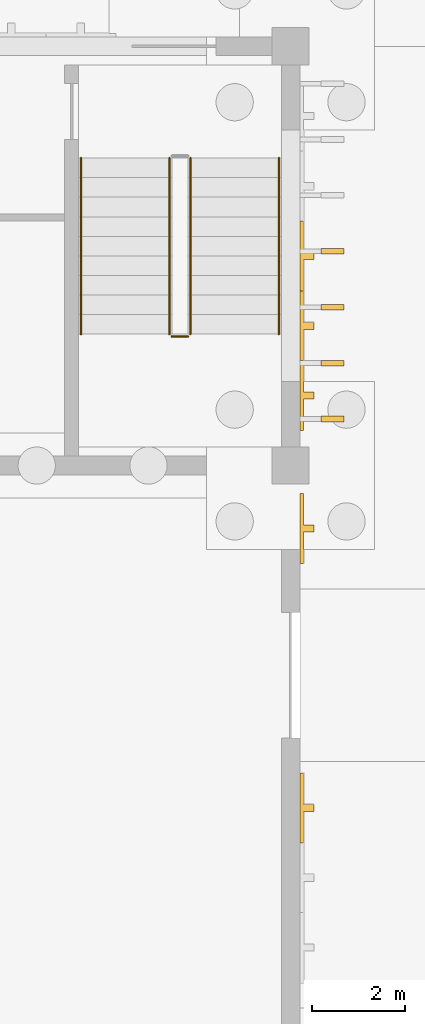
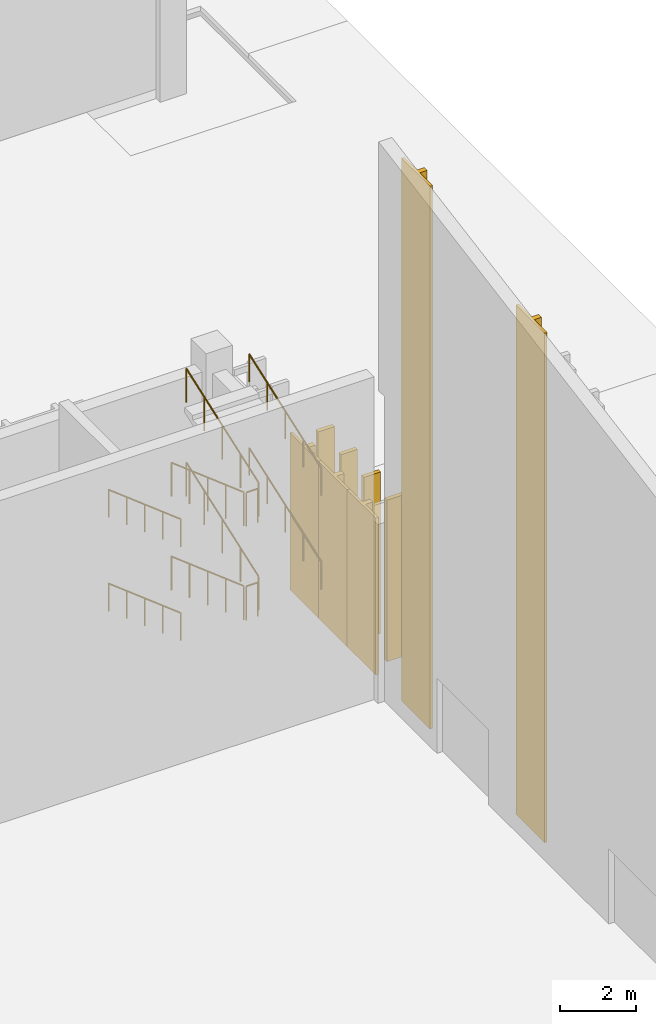
# One storey, part 181 of 198: 10 railings, 9 coverings.
"""IFC4 building model written with IfcOpenShell, lengths in metres."""

from ifc_helpers import new_model, si_unit, direction, frame, origin, origin_2d, place, context, subcontext, project, spatial, polyline, rectangle, circle, outline, extrude, material, layer, layer_set, constituent, constituent_set, type_object, element, save


model = new_model("IFC4")

# Units and contexts
model_context = context("Model", 3, precision=1e-05, world=origin(), true_north=direction((0.0, 1.0)))
body_context = subcontext(model_context, "Body", "Model", "MODEL_VIEW")
ifc_project = project(units=[si_unit("LENGTHUNIT", "METRE"), si_unit("AREAUNIT", "SQUARE_METRE"), si_unit("VOLUMEUNIT", "CUBIC_METRE"), si_unit("PLANEANGLEUNIT", "RADIAN"), si_unit("MASSUNIT", "GRAM", prefix="KILO")], contexts=[model_context])

# Site, building, storey
site_placement = place(None, origin())
site = spatial("IfcSite", under=ifc_project, at=site_placement, CompositionType="ELEMENT")
building_placement = place(site_placement, origin())
building = spatial("IfcBuilding", under=site, at=building_placement, Name="Opaline Strait Convention Centre", CompositionType="ELEMENT")
storey_placement = place(building_placement, origin())
storey = spatial("IfcBuildingStorey", under=building, at=storey_placement, Name="L00", CompositionType="ELEMENT", Elevation=0.0)

# Railings
ifc_material_1 = material(Name="Steel Q235B", Category="steel")
ifc_constituent_1 = constituent(ifc_material_1, Name="Frame")
ifc_material_2 = material(Name="Safety glass, bonded interlayer", Category="glass")
ifc_constituent_2 = constituent(ifc_material_2, Name="Infill")
ifc_constituent_set = constituent_set(constituents=[ifc_constituent_1, ifc_constituent_2], Name="Steel Q235B, Safety glass, bonded interlayer")
railing_type_1 = type_object("IfcRailingType", Name="Guard 1100 steel and glass", PredefinedType="GUARDRAIL", material=ifc_constituent_set)
railing_1_placement = place(storey_placement, frame((348.39990234375, 69.60009765625, 0.14990234375)))
element("IfcRailing", 1, at=railing_1_placement, inside=storey, type_object=railing_type_1, Name="L00 B-STNE stair guard 1", PredefinedType="GUARDRAIL", context=body_context, shape_type="SweptSolid", body=[
    extrude(circle(Radius=0.02392578125, at=origin_2d()), frame((0.0, 0.0, 1.076171875), z_axis=(0.0, -0.941735030876, 0.336355662388), x_axis=(1.0, 0.0, 0.0)), (0.0, 0.0, 1.0), 4.013916015625),
    extrude(circle(Radius=0.02099609375, at=origin_2d()), origin(), (0.0, 0.0, 1.0), 1.052001953125),
    extrude(circle(Radius=0.02099609375, at=origin_2d()), frame((0.0, -0.945068359375, 0.33740234375)), (0.0, 0.0, 1.0), 1.052001953125),
    extrude(circle(Radius=0.02099609375, at=origin_2d()), frame((0.0, -1.89013671875, 0.675048828125)), (0.0, 0.0, 1.0), 1.052001953125),
    extrude(circle(Radius=0.02099609375, at=origin_2d()), frame((0.0, -2.8349609375, 1.0126953125)), (0.0, 0.0, 1.0), 1.052001953125),
    extrude(circle(Radius=0.02099609375, at=origin_2d()), frame((0.0, -3.780029296875, 1.35009765625)), (0.0, 0.0, 1.0), 1.052001953125),
])
railing_2_placement = place(storey_placement, frame((348.449951171875, 65.77001953125, 1.5)))
element("IfcRailing", 2, at=railing_2_placement, inside=storey, type_object=railing_type_1, Name="L00 B-STNE stair guard 2", PredefinedType="GUARDRAIL", context=body_context, shape_type="SweptSolid", body=[
    extrude(circle(Radius=0.02392578125, at=origin_2d()), frame((0.0, 0.0, 1.076171875), z_axis=(1.0, 0.0, 0.0), x_axis=(0.0, 1.0, 0.0)), (0.0, 0.0, 1.0), 0.35009765625),
    extrude(circle(Radius=0.02099609375, at=origin_2d()), origin(), (0.0, 0.0, 1.0), 1.052001953125),
    extrude(circle(Radius=0.02099609375, at=origin_2d()), frame((0.35009765625, 0.0, 0.0)), (0.0, 0.0, 1.0), 1.052001953125),
])
railing_3_placement = place(storey_placement, frame((348.85009765625, 65.820068359375, 1.64990234375)))
element("IfcRailing", 3, at=railing_3_placement, inside=storey, type_object=railing_type_1, Name="L00 B-STNE stair guard 3", PredefinedType="GUARDRAIL", context=body_context, shape_type="SweptSolid", body=[
    extrude(circle(Radius=0.02392578125, at=origin_2d()), frame((0.0, 0.0, 1.076171875), z_axis=(0.0, 0.941735030876, 0.336355662388), x_axis=(-1.0, 0.0, 0.0)), (0.0, 0.0, 1.0), 4.013916015625),
    extrude(circle(Radius=0.02099609375, at=origin_2d()), origin(), (0.0, 0.0, 1.0), 1.052001953125),
    extrude(circle(Radius=0.02099609375, at=origin_2d()), frame((0.0, 0.945068359375, 0.33740234375)), (0.0, 0.0, 1.0), 1.052001953125),
    extrude(circle(Radius=0.02099609375, at=origin_2d()), frame((0.0, 1.89013671875, 0.675048828125)), (0.0, 0.0, 1.0), 1.052001953125),
    extrude(circle(Radius=0.02099609375, at=origin_2d()), frame((0.0, 2.8349609375, 1.0126953125)), (0.0, 0.0, 1.0), 1.052001953125),
    extrude(circle(Radius=0.02099609375, at=origin_2d()), frame((0.0, 3.780029296875, 1.35009765625)), (0.0, 0.0, 1.0), 1.052001953125),
])
railing_4_placement = place(storey_placement, frame((348.39990234375, 69.60009765625, 3.14990234375)))
element("IfcRailing", 4, at=railing_4_placement, inside=storey, type_object=railing_type_1, Name="L00 B-STNE stair guard 5", PredefinedType="GUARDRAIL", context=body_context, shape_type="SweptSolid", body=[
    extrude(circle(Radius=0.02392578125, at=origin_2d()), frame((0.0, 0.0, 1.076171875), z_axis=(0.0, -0.941735030876, 0.336355662388), x_axis=(1.0, 0.0, 0.0)), (0.0, 0.0, 1.0), 4.013916015625),
    extrude(circle(Radius=0.02099609375, at=origin_2d()), origin(), (0.0, 0.0, 1.0), 1.052001953125),
    extrude(circle(Radius=0.02099609375, at=origin_2d()), frame((0.0, -0.945068359375, 0.33740234375)), (0.0, 0.0, 1.0), 1.052001953125),
    extrude(circle(Radius=0.02099609375, at=origin_2d()), frame((0.0, -1.89013671875, 0.675048828125)), (0.0, 0.0, 1.0), 1.052001953125),
    extrude(circle(Radius=0.02099609375, at=origin_2d()), frame((0.0, -2.8349609375, 1.0126953125)), (0.0, 0.0, 1.0), 1.052001953125),
    extrude(circle(Radius=0.02099609375, at=origin_2d()), frame((0.0, -3.780029296875, 1.35009765625)), (0.0, 0.0, 1.0), 1.052001953125),
])
railing_5_placement = place(storey_placement, frame((348.449951171875, 65.77001953125, 4.5)))
element("IfcRailing", 5, at=railing_5_placement, inside=storey, type_object=railing_type_1, Name="L00 B-STNE stair guard 6", PredefinedType="GUARDRAIL", context=body_context, shape_type="SweptSolid", body=[
    extrude(circle(Radius=0.02392578125, at=origin_2d()), frame((0.0, 0.0, 1.076171875), z_axis=(1.0, 0.0, 0.0), x_axis=(0.0, 1.0, 0.0)), (0.0, 0.0, 1.0), 0.35009765625),
    extrude(circle(Radius=0.02099609375, at=origin_2d()), origin(), (0.0, 0.0, 1.0), 1.052001953125),
    extrude(circle(Radius=0.02099609375, at=origin_2d()), frame((0.35009765625, 0.0, 0.0)), (0.0, 0.0, 1.0), 1.052001953125),
])
railing_6_placement = place(storey_placement, frame((348.85009765625, 65.820068359375, 4.64990234375)))
element("IfcRailing", 6, at=railing_6_placement, inside=storey, type_object=railing_type_1, Name="L00 B-STNE stair guard 7", PredefinedType="GUARDRAIL", context=body_context, shape_type="SweptSolid", body=[
    extrude(circle(Radius=0.02392578125, at=origin_2d()), frame((0.0, 0.0, 1.076171875), z_axis=(0.0, 0.941735030876, 0.336355662388), x_axis=(-1.0, 0.0, 0.0)), (0.0, 0.0, 1.0), 4.013916015625),
    extrude(circle(Radius=0.02099609375, at=origin_2d()), origin(), (0.0, 0.0, 1.0), 1.052001953125),
    extrude(circle(Radius=0.02099609375, at=origin_2d()), frame((0.0, 0.945068359375, 0.33740234375)), (0.0, 0.0, 1.0), 1.052001953125),
    extrude(circle(Radius=0.02099609375, at=origin_2d()), frame((0.0, 1.89013671875, 0.675048828125)), (0.0, 0.0, 1.0), 1.052001953125),
    extrude(circle(Radius=0.02099609375, at=origin_2d()), frame((0.0, 2.8349609375, 1.0126953125)), (0.0, 0.0, 1.0), 1.052001953125),
    extrude(circle(Radius=0.02099609375, at=origin_2d()), frame((0.0, 3.780029296875, 1.35009765625)), (0.0, 0.0, 1.0), 1.052001953125),
])

# Coverings
ifc_material_3 = material(Name="Concrete C40 precast white", Category="concrete")
ifc_layer_1 = layer(ifc_material_3, 0.300048828125)
ifc_layer_set_1 = layer_set([ifc_layer_1], Name="Concrete C40 precast white")
covering_type_1 = type_object("IfcCoveringType", Name="Ribbed precast panel white 1500", PredefinedType="CLADDING", material=ifc_layer_set_1)
covering_1_placement = place(storey_placement, origin())
element("IfcCovering", 7, at=covering_1_placement, inside=storey, type_object=covering_type_1, Name="Ribbed panel L00-E27 19", PredefinedType="CLADDING", context=body_context, shape_type="SweptSolid", body=[
    extrude(outline(polyline([(351.199951171875, 54.89990234375), (351.199951171875, 56.39990234375), (351.280029296875, 56.39990234375), (351.280029296875, 55.72509765625), (351.5, 55.72509765625), (351.5, 55.574951171875), (351.280029296875, 55.574951171875), (351.280029296875, 54.89990234375), (351.199951171875, 54.89990234375)])), origin(), (0.0, 0.0, 1.0), 16.297119140625),
])
covering_2_placement = place(storey_placement, origin())
element("IfcCovering", 8, at=covering_2_placement, inside=storey, type_object=covering_type_1, Name="Ribbed panel L00-E27 23", PredefinedType="CLADDING", context=body_context, shape_type="SweptSolid", body=[
    extrude(outline(polyline([(351.199951171875, 60.89990234375), (351.199951171875, 62.39990234375), (351.280029296875, 62.39990234375), (351.280029296875, 61.72509765625), (351.5, 61.72509765625), (351.5, 61.574951171875), (351.280029296875, 61.574951171875), (351.280029296875, 60.89990234375), (351.199951171875, 60.89990234375)])), origin(), (0.0, 0.0, 1.0), 17.355224609375),
])
covering_3_placement = place(storey_placement, origin())
element("IfcCovering", 9, at=covering_3_placement, inside=storey, type_object=covering_type_1, Name="Ribbed panel L00-E63 1", PredefinedType="CLADDING", context=body_context, shape_type="SweptSolid", body=[
    extrude(outline(polyline([(351.199951171875, 63.75), (351.199951171875, 65.25), (351.280029296875, 65.25), (351.280029296875, 64.574951171875), (351.5, 64.574951171875), (351.5, 64.425048828125), (351.280029296875, 64.425048828125), (351.280029296875, 63.75), (351.199951171875, 63.75)])), origin(), (0.0, 0.0, 1.0), 5.02001953125),
])
covering_4_placement = place(storey_placement, origin())
element("IfcCovering", 10, at=covering_4_placement, inside=storey, type_object=covering_type_1, Name="Ribbed panel L00-E63 2", PredefinedType="CLADDING", context=body_context, shape_type="SweptSolid", body=[
    extrude(outline(polyline([(351.199951171875, 65.25), (351.199951171875, 66.75), (351.280029296875, 66.75), (351.280029296875, 66.074951171875), (351.5, 66.074951171875), (351.5, 65.925048828125), (351.280029296875, 65.925048828125), (351.280029296875, 65.25), (351.199951171875, 65.25)])), origin(), (0.0, 0.0, 1.0), 5.02001953125),
])
covering_5_placement = place(storey_placement, origin())
element("IfcCovering", 11, at=covering_5_placement, inside=storey, type_object=covering_type_1, Name="Ribbed panel L00-E63 3", PredefinedType="CLADDING", context=body_context, shape_type="SweptSolid", body=[
    extrude(outline(polyline([(351.199951171875, 66.75), (351.199951171875, 68.25), (351.280029296875, 68.25), (351.280029296875, 67.574951171875), (351.5, 67.574951171875), (351.5, 67.425048828125), (351.280029296875, 67.425048828125), (351.280029296875, 66.75), (351.199951171875, 66.75)])), origin(), (0.0, 0.0, 1.0), 5.02001953125),
])

# Railings
ifc_material_4 = material(Name="Stainless steel 304", Category="steel")
railing_type_2 = type_object("IfcRailingType", Name="Stair handrail 900", PredefinedType="HANDRAIL", material=ifc_material_4)
railing_7_placement = place(storey_placement, frame((346.5, 69.60009765625, 0.14990234375)))
element("IfcRailing", 12, at=railing_7_placement, inside=storey, type_object=railing_type_2, Name="L00 B-STNE stair handrail 1", PredefinedType="HANDRAIL", context=body_context, shape_type="SweptSolid", body=[
    extrude(circle(Radius=0.02392578125, at=origin_2d()), frame((0.0, 0.0, 0.8759765625), z_axis=(0.0, -0.941735030876, 0.336355662388), x_axis=(1.0, 0.0, 0.0)), (0.0, 0.0, 1.0), 4.013916015625),
    extrude(circle(Radius=0.02099609375, at=origin_2d()), origin(), (0.0, 0.0, 1.0), 0.851806640625),
    extrude(circle(Radius=0.02099609375, at=origin_2d()), frame((0.0, -0.945068359375, 0.33740234375)), (0.0, 0.0, 1.0), 0.851806640625),
    extrude(circle(Radius=0.02099609375, at=origin_2d()), frame((0.0, -1.89013671875, 0.675048828125)), (0.0, 0.0, 1.0), 0.851806640625),
    extrude(circle(Radius=0.02099609375, at=origin_2d()), frame((0.0, -2.8349609375, 1.0126953125)), (0.0, 0.0, 1.0), 0.851806640625),
    extrude(circle(Radius=0.02099609375, at=origin_2d()), frame((0.0, -3.780029296875, 1.35009765625)), (0.0, 0.0, 1.0), 0.851806640625),
])
railing_8_placement = place(storey_placement, frame((350.75, 65.820068359375, 1.64990234375)))
element("IfcRailing", 13, at=railing_8_placement, inside=storey, type_object=railing_type_2, Name="L00 B-STNE stair handrail 2", PredefinedType="HANDRAIL", context=body_context, shape_type="SweptSolid", body=[
    extrude(circle(Radius=0.02392578125, at=origin_2d()), frame((0.0, 0.0, 0.8759765625), z_axis=(0.0, 0.941735030876, 0.336355662388), x_axis=(-1.0, 0.0, 0.0)), (0.0, 0.0, 1.0), 4.013916015625),
    extrude(circle(Radius=0.02099609375, at=origin_2d()), origin(), (0.0, 0.0, 1.0), 0.851806640625),
    extrude(circle(Radius=0.02099609375, at=origin_2d()), frame((0.0, 0.945068359375, 0.33740234375)), (0.0, 0.0, 1.0), 0.851806640625),
    extrude(circle(Radius=0.02099609375, at=origin_2d()), frame((0.0, 1.89013671875, 0.675048828125)), (0.0, 0.0, 1.0), 0.851806640625),
    extrude(circle(Radius=0.02099609375, at=origin_2d()), frame((0.0, 2.8349609375, 1.0126953125)), (0.0, 0.0, 1.0), 0.851806640625),
    extrude(circle(Radius=0.02099609375, at=origin_2d()), frame((0.0, 3.780029296875, 1.35009765625)), (0.0, 0.0, 1.0), 0.851806640625),
])
railing_9_placement = place(storey_placement, frame((346.5, 69.60009765625, 3.14990234375)))
element("IfcRailing", 14, at=railing_9_placement, inside=storey, type_object=railing_type_2, Name="L00 B-STNE stair handrail 3", PredefinedType="HANDRAIL", context=body_context, shape_type="SweptSolid", body=[
    extrude(circle(Radius=0.02392578125, at=origin_2d()), frame((0.0, 0.0, 0.8759765625), z_axis=(0.0, -0.941735030876, 0.336355662388), x_axis=(1.0, 0.0, 0.0)), (0.0, 0.0, 1.0), 4.013916015625),
    extrude(circle(Radius=0.02099609375, at=origin_2d()), origin(), (0.0, 0.0, 1.0), 0.851806640625),
    extrude(circle(Radius=0.02099609375, at=origin_2d()), frame((0.0, -0.945068359375, 0.33740234375)), (0.0, 0.0, 1.0), 0.851806640625),
    extrude(circle(Radius=0.02099609375, at=origin_2d()), frame((0.0, -1.89013671875, 0.675048828125)), (0.0, 0.0, 1.0), 0.851806640625),
    extrude(circle(Radius=0.02099609375, at=origin_2d()), frame((0.0, -2.8349609375, 1.0126953125)), (0.0, 0.0, 1.0), 0.851806640625),
    extrude(circle(Radius=0.02099609375, at=origin_2d()), frame((0.0, -3.780029296875, 1.35009765625)), (0.0, 0.0, 1.0), 0.851806640625),
])
railing_10_placement = place(storey_placement, frame((350.75, 65.820068359375, 4.64990234375)))
element("IfcRailing", 15, at=railing_10_placement, inside=storey, type_object=railing_type_2, Name="L00 B-STNE stair handrail 4", PredefinedType="HANDRAIL", context=body_context, shape_type="SweptSolid", body=[
    extrude(circle(Radius=0.02392578125, at=origin_2d()), frame((0.0, 0.0, 0.8759765625), z_axis=(0.0, 0.941735030876, 0.336355662388), x_axis=(-1.0, 0.0, 0.0)), (0.0, 0.0, 1.0), 4.013916015625),
    extrude(circle(Radius=0.02099609375, at=origin_2d()), origin(), (0.0, 0.0, 1.0), 0.851806640625),
    extrude(circle(Radius=0.02099609375, at=origin_2d()), frame((0.0, 0.945068359375, 0.33740234375)), (0.0, 0.0, 1.0), 0.851806640625),
    extrude(circle(Radius=0.02099609375, at=origin_2d()), frame((0.0, 1.89013671875, 0.675048828125)), (0.0, 0.0, 1.0), 0.851806640625),
    extrude(circle(Radius=0.02099609375, at=origin_2d()), frame((0.0, 2.8349609375, 1.0126953125)), (0.0, 0.0, 1.0), 0.851806640625),
    extrude(circle(Radius=0.02099609375, at=origin_2d()), frame((0.0, 3.780029296875, 1.35009765625)), (0.0, 0.0, 1.0), 0.851806640625),
])

# Coverings
ifc_material_5 = material(Name="Powder-coated aluminium white", Category="aluminium")
ifc_layer_2 = layer(ifc_material_5, 0.1201171875)
ifc_layer_set_2 = layer_set([ifc_layer_2], Name="Powder-coated aluminium white")
covering_type_2 = type_object("IfcCoveringType", Name="Storm louvre fin 120 x 500", PredefinedType="CLADDING", material=ifc_layer_set_2)
for number, where, z_axis, x_axis, name in (
    (16, (351.89990234375, 64.0, 0.150146484375), (0.0, 0.0, 1.0), (1.0, 0.0, 0.0), "BX2 storm louvre fin east 75"),
    (17, (351.89990234375, 65.199951171875, 0.150146484375), (0.0, 0.0, 1.0), (1.0, 0.0, 0.0), "BX2 storm louvre fin east 76"),
    (18, (351.89990234375, 66.39990234375, 0.150146484375), (0.0, 0.0, 1.0), (1.0, 0.0, 0.0), "BX2 storm louvre fin east 77"),
    (19, (351.89990234375, 67.60009765625, 0.150146484375), (0.0, 0.0, 1.0), (1.0, 0.0, 0.0), "BX2 storm louvre fin east 78"),
):
    element("IfcCovering", number, at=place(storey_placement, frame(where, z_axis=z_axis, x_axis=x_axis)), inside=storey, type_object=covering_type_2, Name=name, PredefinedType="CLADDING", context=body_context, shape_type="SweptSolid", body=[
        extrude(rectangle(XDim=0.5, YDim=0.1201171875, at=origin_2d()), origin(), (0.0, 0.0, 1.0), 5.169921875),
    ])

save(model, "model.ifc")
